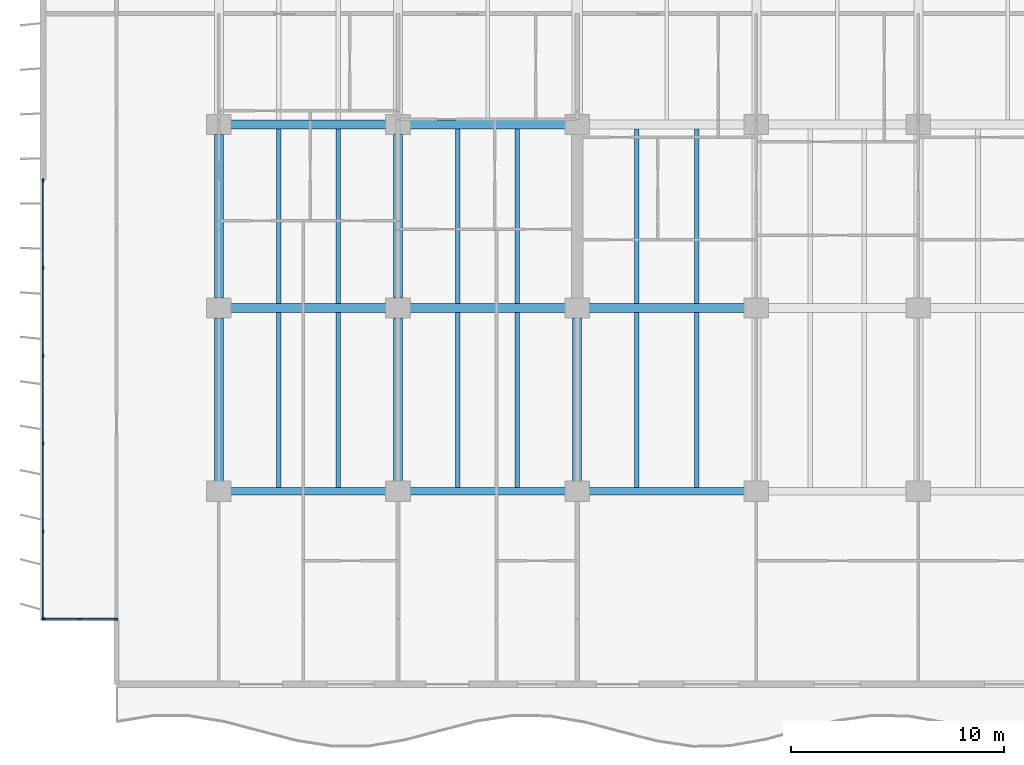
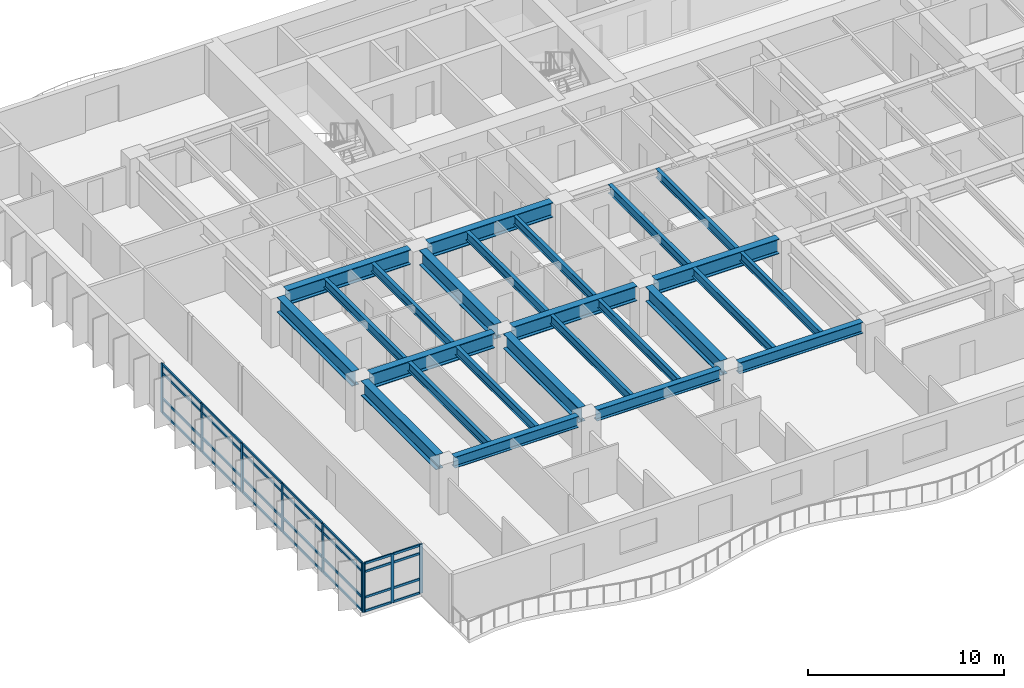
# One storey, part 2 of 17: 37 members, 25 beams, 2 elements without a shape of their own.
"""IFC4 building model written with IfcOpenShell, lengths in metres."""

from ifc_helpers import new_model, si_unit, direction, frame, origin, origin_2d, place, context, subcontext, project, spatial, rectangle, i_section, extrude, material, layer, layer_set, material_profile, profile_set, type_object, element, aggregate, save


model = new_model("IFC4")

# Units and contexts
model_context = context("Model", 3, precision=1e-05, world=origin(), true_north=direction((0.0, 1.0)))
body_context = subcontext(model_context, "Body", "Model", "MODEL_VIEW")
ifc_project = project(units=[si_unit("LENGTHUNIT", "METRE"), si_unit("AREAUNIT", "SQUARE_METRE"), si_unit("VOLUMEUNIT", "CUBIC_METRE"), si_unit("PLANEANGLEUNIT", "RADIAN"), si_unit("MASSUNIT", "GRAM", prefix="KILO")], contexts=[model_context])

# Site, building, storey
site_placement = place(None, origin())
site = spatial("IfcSite", under=ifc_project, at=site_placement, CompositionType="ELEMENT")
building_placement = place(site_placement, origin())
building = spatial("IfcBuilding", under=site, at=building_placement, Name="Caelmar Bay Residences", CompositionType="ELEMENT")
storey_placement = place(building_placement, frame((0.0, 0.0, 49.800048828125)))
storey = spatial("IfcBuildingStorey", under=building, at=storey_placement, Name="L12", CompositionType="ELEMENT", Elevation=49.800048828125)

# Beams
ifc_material_1 = material(Name="Steel ASTM A992 Grade 50", Category="steel")
ifc_material_profile_1 = material_profile(ifc_material_1, i_section(OverallWidth=0.422119140625, OverallDepth=0.925048828125, WebThickness=0.021240234375, FlangeThickness=0.03662109375, FilletRadius=0.020263671875, at=origin_2d()), Name="W36X262")
ifc_profile_set_1 = profile_set([ifc_material_profile_1], Name="Steel ASTM A992 Grade 50")
beam_type_1 = type_object("IfcBeamType", Name="BM-GRD-W36X262", PredefinedType="BEAM", material=ifc_profile_set_1)
beam_1_placement = place(storey_placement, frame((10.43994140625, 20.800048828125, 2.58740234375), z_axis=(1.0, 0.0, 0.0), x_axis=(0.0, 1.0, 0.0)))
element("IfcBeam", 1, at=beam_1_placement, inside=storey, type_object=beam_type_1, Name="L12 East-West Girder Y=20.80 (9.9-18.3)", PredefinedType="BEAM", context=body_context, shape_type="SweptSolid", body=[
    extrude(i_section(OverallWidth=0.422119140625, OverallDepth=0.925048828125, WebThickness=0.021240234375, FlangeThickness=0.03662109375, FilletRadius=0.020263671875, at=origin_2d()), origin(), (0.0, 0.0, 1.0), 7.320068359375),
])
beam_2_placement = place(storey_placement, frame((18.840087890625, 20.800048828125, 2.58740234375), z_axis=(1.0, 0.0, 0.0), x_axis=(0.0, 1.0, 0.0)))
element("IfcBeam", 2, at=beam_2_placement, inside=storey, type_object=beam_type_1, Name="L12 East-West Girder Y=20.80 (18.3-26.7)", PredefinedType="BEAM", context=body_context, shape_type="SweptSolid", body=[
    extrude(i_section(OverallWidth=0.422119140625, OverallDepth=0.925048828125, WebThickness=0.021240234375, FlangeThickness=0.03662109375, FilletRadius=0.020263671875, at=origin_2d()), origin(), (0.0, 0.0, 1.0), 7.31982421875),
])
for number, where, z_axis, x_axis, name in (
    (3, (27.239990234375, 20.800048828125, 2.58740234375), (1.0, 0.0, 0.0), (0.0, 1.0, 0.0), "L12 East-West Girder Y=20.80 (26.7-35.1)"),
    (4, (10.43994140625, 29.39990234375, 2.58740234375), (1.0, 0.0, 0.0), (0.0, 1.0, 0.0), "L12 East-West Girder Y=29.40 (9.9-18.3)"),
):
    element("IfcBeam", number, at=place(storey_placement, frame(where, z_axis=z_axis, x_axis=x_axis)), inside=storey, type_object=beam_type_1, Name=name, PredefinedType="BEAM", context=body_context, shape_type="SweptSolid", body=[
        extrude(i_section(OverallWidth=0.422119140625, OverallDepth=0.925048828125, WebThickness=0.021240234375, FlangeThickness=0.03662109375, FilletRadius=0.020263671875, at=origin_2d()), origin(), (0.0, 0.0, 1.0), 7.320068359375),
    ])
beam_3_placement = place(storey_placement, frame((18.840087890625, 29.39990234375, 2.58740234375), z_axis=(1.0, 0.0, 0.0), x_axis=(0.0, 1.0, 0.0)))
element("IfcBeam", 5, at=beam_3_placement, inside=storey, type_object=beam_type_1, Name="L12 East-West Girder Y=29.40 (18.3-26.7)", PredefinedType="BEAM", context=body_context, shape_type="SweptSolid", body=[
    extrude(i_section(OverallWidth=0.422119140625, OverallDepth=0.925048828125, WebThickness=0.021240234375, FlangeThickness=0.03662109375, FilletRadius=0.020263671875, at=origin_2d()), origin(), (0.0, 0.0, 1.0), 7.31982421875),
])
beam_4_placement = place(storey_placement, frame((9.89990234375, 12.6650390625, 2.58740234375), z_axis=(0.0, 1.0, 0.0), x_axis=(-1.0, 0.0, 0.0)))
element("IfcBeam", 6, at=beam_4_placement, inside=storey, type_object=beam_type_1, Name="L12 North-South Girder X=9.90 (12.2-20.8)", PredefinedType="BEAM", context=body_context, shape_type="SweptSolid", body=[
    extrude(i_section(OverallWidth=0.422119140625, OverallDepth=0.925048828125, WebThickness=0.021240234375, FlangeThickness=0.03662109375, FilletRadius=0.020263671875, at=origin_2d()), origin(), (0.0, 0.0, 1.0), 7.669921875),
])
beam_5_placement = place(storey_placement, frame((9.89990234375, 21.264892578125, 2.58740234375), z_axis=(0.0, 1.0, 0.0), x_axis=(-1.0, 0.0, 0.0)))
element("IfcBeam", 7, at=beam_5_placement, inside=storey, type_object=beam_type_1, Name="L12 North-South Girder X=9.90 (20.8-29.4)", PredefinedType="BEAM", context=body_context, shape_type="SweptSolid", body=[
    extrude(i_section(OverallWidth=0.422119140625, OverallDepth=0.925048828125, WebThickness=0.021240234375, FlangeThickness=0.03662109375, FilletRadius=0.020263671875, at=origin_2d()), origin(), (0.0, 0.0, 1.0), 7.670166015625),
])
beam_6_placement = place(storey_placement, frame((18.300048828125, 12.6650390625, 2.58740234375), z_axis=(0.0, 1.0, 0.0), x_axis=(-1.0, 0.0, 0.0)))
element("IfcBeam", 8, at=beam_6_placement, inside=storey, type_object=beam_type_1, Name="L12 North-South Girder X=18.30 (12.2-20.8)", PredefinedType="BEAM", context=body_context, shape_type="SweptSolid", body=[
    extrude(i_section(OverallWidth=0.422119140625, OverallDepth=0.925048828125, WebThickness=0.021240234375, FlangeThickness=0.03662109375, FilletRadius=0.020263671875, at=origin_2d()), origin(), (0.0, 0.0, 1.0), 7.669921875),
])
beam_7_placement = place(storey_placement, frame((18.300048828125, 21.264892578125, 2.58740234375), z_axis=(0.0, 1.0, 0.0), x_axis=(-1.0, 0.0, 0.0)))
element("IfcBeam", 9, at=beam_7_placement, inside=storey, type_object=beam_type_1, Name="L12 North-South Girder X=18.30 (20.8-29.4)", PredefinedType="BEAM", context=body_context, shape_type="SweptSolid", body=[
    extrude(i_section(OverallWidth=0.422119140625, OverallDepth=0.925048828125, WebThickness=0.021240234375, FlangeThickness=0.03662109375, FilletRadius=0.020263671875, at=origin_2d()), origin(), (0.0, 0.0, 1.0), 7.670166015625),
])
beam_8_placement = place(storey_placement, frame((26.699951171875, 12.6650390625, 2.58740234375), z_axis=(0.0, 1.0, 0.0), x_axis=(-1.0, 0.0, 0.0)))
element("IfcBeam", 10, at=beam_8_placement, inside=storey, type_object=beam_type_1, Name="L12 North-South Girder X=26.70 (12.2-20.8)", PredefinedType="BEAM", context=body_context, shape_type="SweptSolid", body=[
    extrude(i_section(OverallWidth=0.422119140625, OverallDepth=0.925048828125, WebThickness=0.021240234375, FlangeThickness=0.03662109375, FilletRadius=0.020263671875, at=origin_2d()), origin(), (0.0, 0.0, 1.0), 7.669921875),
])
ifc_material_profile_2 = material_profile(ifc_material_1, i_section(OverallWidth=0.2099609375, OverallDepth=0.535888671875, WebThickness=0.010986328125, FlangeThickness=0.017333984375, FilletRadius=0.0126953125, at=origin_2d()), Name="W21X68")
ifc_profile_set_2 = profile_set([ifc_material_profile_2], Name="Steel ASTM A992 Grade 50")
beam_type_2 = type_object("IfcBeamType", Name="BM-JST-W21X68", PredefinedType="JOIST", material=ifc_profile_set_2)
for number, where, z_axis, x_axis, name in (
    (11, (15.5, 12.3779296875, 2.781982421875), (0.0, 1.0, 0.0), (-1.0, 0.0, 0.0), "L12 Composite Floor Joist 2"),
    (12, (23.89990234375, 12.3779296875, 2.781982421875), (0.0, 1.0, 0.0), (-1.0, 0.0, 0.0), "L12 Composite Floor Joist 4"),
    (13, (32.300048828125, 12.3779296875, 2.781982421875), (0.0, 1.0, 0.0), (-1.0, 0.0, 0.0), "L12 Composite Floor Joist 6"),
):
    element("IfcBeam", number, at=place(storey_placement, frame(where, z_axis=z_axis, x_axis=x_axis)), inside=storey, type_object=beam_type_2, Name=name, PredefinedType="JOIST", context=body_context, shape_type="SweptSolid", body=[
        extrude(i_section(OverallWidth=0.2099609375, OverallDepth=0.535888671875, WebThickness=0.010986328125, FlangeThickness=0.017333984375, FilletRadius=0.0126953125, at=origin_2d()), origin(), (0.0, 0.0, 1.0), 8.211181640625),
    ])
for number, where, z_axis, x_axis, name in (
    (14, (15.5, 21.010986328125, 2.781982421875), (0.0, 1.0, 0.0), (-1.0, 0.0, 0.0), "L12 Composite Floor Joist 16"),
    (15, (23.89990234375, 21.010986328125, 2.781982421875), (0.0, 1.0, 0.0), (-1.0, 0.0, 0.0), "L12 Composite Floor Joist 18"),
    (16, (32.300048828125, 21.010986328125, 2.781982421875), (0.0, 1.0, 0.0), (-1.0, 0.0, 0.0), "L12 Composite Floor Joist 20"),
):
    element("IfcBeam", number, at=place(storey_placement, frame(where, z_axis=z_axis, x_axis=x_axis)), inside=storey, type_object=beam_type_2, Name=name, PredefinedType="JOIST", context=body_context, shape_type="SweptSolid", body=[
        extrude(i_section(OverallWidth=0.2099609375, OverallDepth=0.535888671875, WebThickness=0.010986328125, FlangeThickness=0.017333984375, FilletRadius=0.0126953125, at=origin_2d()), origin(), (0.0, 0.0, 1.0), 8.177978515625),
    ])
ifc_material_profile_3 = material_profile(ifc_material_1, i_section(OverallWidth=0.214111328125, OverallDepth=0.549072265625, WebThickness=0.0146484375, FlangeThickness=0.023681640625, FilletRadius=0.0126953125, at=origin_2d()), Name="W21X93")
ifc_profile_set_3 = profile_set([ifc_material_profile_3], Name="Steel ASTM A992 Grade 50")
beam_type_3 = type_object("IfcBeamType", Name="BM-JST-W21X93", PredefinedType="JOIST", material=ifc_profile_set_3)
for number, where, z_axis, x_axis, name in (
    (17, (12.699951171875, 12.3779296875, 2.775390625), (0.0, 1.0, 0.0), (-1.0, 0.0, 0.0), "L12 Composite Floor Joist 1"),
    (18, (21.10009765625, 12.3779296875, 2.775390625), (0.0, 1.0, 0.0), (-1.0, 0.0, 0.0), "L12 Composite Floor Joist 3"),
    (19, (29.5, 12.3779296875, 2.775390625), (0.0, 1.0, 0.0), (-1.0, 0.0, 0.0), "L12 Composite Floor Joist 5"),
):
    element("IfcBeam", number, at=place(storey_placement, frame(where, z_axis=z_axis, x_axis=x_axis)), inside=storey, type_object=beam_type_3, Name=name, PredefinedType="JOIST", context=body_context, shape_type="SweptSolid", body=[
        extrude(i_section(OverallWidth=0.214111328125, OverallDepth=0.549072265625, WebThickness=0.0146484375, FlangeThickness=0.023681640625, FilletRadius=0.0126953125, at=origin_2d()), origin(), (0.0, 0.0, 1.0), 8.211181640625),
    ])
for number, where, z_axis, x_axis, name in (
    (20, (12.699951171875, 21.010986328125, 2.775390625), (0.0, 1.0, 0.0), (-1.0, 0.0, 0.0), "L12 Composite Floor Joist 15"),
    (21, (21.10009765625, 21.010986328125, 2.775390625), (0.0, 1.0, 0.0), (-1.0, 0.0, 0.0), "L12 Composite Floor Joist 17"),
    (22, (29.5, 21.010986328125, 2.775390625), (0.0, 1.0, 0.0), (-1.0, 0.0, 0.0), "L12 Composite Floor Joist 19"),
):
    element("IfcBeam", number, at=place(storey_placement, frame(where, z_axis=z_axis, x_axis=x_axis)), inside=storey, type_object=beam_type_3, Name=name, PredefinedType="JOIST", context=body_context, shape_type="SweptSolid", body=[
        extrude(i_section(OverallWidth=0.214111328125, OverallDepth=0.549072265625, WebThickness=0.0146484375, FlangeThickness=0.023681640625, FilletRadius=0.0126953125, at=origin_2d()), origin(), (0.0, 0.0, 1.0), 8.177978515625),
    ])
ifc_material_profile_4 = material_profile(ifc_material_1, i_section(OverallWidth=0.35595703125, OverallDepth=0.696044921875, WebThickness=0.015380859375, FlangeThickness=0.02490234375, FilletRadius=0.01513671875, at=origin_2d()), Name="W27X146")
ifc_profile_set_4 = profile_set([ifc_material_profile_4], Name="Steel ASTM A992 Grade 50")
beam_type_4 = type_object("IfcBeamType", Name="BM-SPN-W27X146", PredefinedType="SPANDREL", material=ifc_profile_set_4)
beam_9_placement = place(storey_placement, frame((10.43994140625, 12.199951171875, 2.701904296875), z_axis=(1.0, 0.0, 0.0), x_axis=(0.0, 1.0, 0.0)))
element("IfcBeam", 23, at=beam_9_placement, inside=storey, type_object=beam_type_4, Name="L12 East-West Girder Y=12.20 (9.9-18.3)", PredefinedType="SPANDREL", context=body_context, shape_type="SweptSolid", body=[
    extrude(i_section(OverallWidth=0.35595703125, OverallDepth=0.696044921875, WebThickness=0.015380859375, FlangeThickness=0.02490234375, FilletRadius=0.01513671875, at=origin_2d()), origin(), (0.0, 0.0, 1.0), 7.320068359375),
])
beam_10_placement = place(storey_placement, frame((18.840087890625, 12.199951171875, 2.701904296875), z_axis=(1.0, 0.0, 0.0), x_axis=(0.0, 1.0, 0.0)))
element("IfcBeam", 24, at=beam_10_placement, inside=storey, type_object=beam_type_4, Name="L12 East-West Girder Y=12.20 (18.3-26.7)", PredefinedType="SPANDREL", context=body_context, shape_type="SweptSolid", body=[
    extrude(i_section(OverallWidth=0.35595703125, OverallDepth=0.696044921875, WebThickness=0.015380859375, FlangeThickness=0.02490234375, FilletRadius=0.01513671875, at=origin_2d()), origin(), (0.0, 0.0, 1.0), 7.31982421875),
])
beam_11_placement = place(storey_placement, frame((27.239990234375, 12.199951171875, 2.701904296875), z_axis=(1.0, 0.0, 0.0), x_axis=(0.0, 1.0, 0.0)))
element("IfcBeam", 25, at=beam_11_placement, inside=storey, type_object=beam_type_4, Name="L12 East-West Girder Y=12.20 (26.7-35.1)", PredefinedType="SPANDREL", context=body_context, shape_type="SweptSolid", body=[
    extrude(i_section(OverallWidth=0.35595703125, OverallDepth=0.696044921875, WebThickness=0.015380859375, FlangeThickness=0.02490234375, FilletRadius=0.01513671875, at=origin_2d()), origin(), (0.0, 0.0, 1.0), 7.320068359375),
])

# Curtain wall, members
ifc_material_2 = material(Name="Anodised bronze aluminium 6063-T6 and laminated glass", Category="aluminium")
ifc_layer_1 = layer(ifc_material_2, 0.179931640625)
ifc_layer_set_1 = layer_set([ifc_layer_1], Name="Anodised bronze aluminium 6063-T6 and laminated glass")
curtain_wall_type_1 = type_object("IfcCurtainWallType", Name="CW6-NTC", PredefinedType="NOTDEFINED", material=ifc_layer_set_1)
curtain_wall_1_placement = place(storey_placement, origin())
curtain_wall_1 = element("IfcCurtainWall", 26, at=curtain_wall_1_placement, inside=storey, type_object=curtain_wall_type_1, Name="CW6 curtain wall L12", PredefinedType="NOTDEFINED")
ifc_material_3 = material(Name="Anodised bronze aluminium 6063-T6", Category="aluminium")
ifc_material_profile_5 = material_profile(ifc_material_3, rectangle(XDim=0.080078125, YDim=0.179931640625, at=origin_2d()), Name="CWM-80X180")
ifc_profile_set_5 = profile_set([ifc_material_profile_5], Name="Anodised bronze aluminium 6063-T6")
member_type_1 = type_object("IfcMemberType", Name="CWM-180", PredefinedType="MULLION", material=ifc_profile_set_5)
member_1_placement = place(storey_placement, frame((1.68994140625, 6.199951171875, 0.0), z_axis=(0.0, 0.0, 1.0), x_axis=(0.0, 1.0, 0.0)))
member_1 = element("IfcMember", 27, at=member_1_placement, type_object=member_type_1, Name="CW6 mullion 1", PredefinedType="MULLION", context=body_context, shape_type="SweptSolid", body=[
    extrude(rectangle(XDim=0.080078125, YDim=0.179931640625, at=origin_2d()), origin(), (0.0, 0.0, 1.0), 3.050048828125),
])
member_2_placement = place(storey_placement, frame((3.375, 6.199951171875, 0.0), z_axis=(0.0, 0.0, 1.0), x_axis=(0.0, 1.0, 0.0)))
member_2 = element("IfcMember", 28, at=member_2_placement, type_object=member_type_1, Name="CW6 mullion 2", PredefinedType="MULLION", context=body_context, shape_type="SweptSolid", body=[
    extrude(rectangle(XDim=0.080078125, YDim=0.179931640625, at=origin_2d()), origin(), (0.0, 0.0, 1.0), 3.050048828125),
])
member_3_placement = place(storey_placement, frame((5.06005859375, 6.199951171875, 0.0), z_axis=(0.0, 0.0, 1.0), x_axis=(0.0, 1.0, 0.0)))
member_3 = element("IfcMember", 29, at=member_3_placement, type_object=member_type_1, Name="CW6 mullion 3", PredefinedType="MULLION", context=body_context, shape_type="SweptSolid", body=[
    extrude(rectangle(XDim=0.080078125, YDim=0.179931640625, at=origin_2d()), origin(), (0.0, 0.0, 1.0), 3.050048828125),
])

ifc_layer_2 = layer(ifc_material_2, 0.179931640625)
ifc_layer_set_2 = layer_set([ifc_layer_2], Name="Anodised bronze aluminium 6063-T6 and laminated glass")
curtain_wall_type_2 = type_object("IfcCurtainWallType", Name="CW2-Z1", PredefinedType="NOTDEFINED", material=ifc_layer_set_2)
curtain_wall_2_placement = place(storey_placement, origin())
curtain_wall_2 = element("IfcCurtainWall", 30, at=curtain_wall_2_placement, inside=storey, type_object=curtain_wall_type_2, Name="CW2 curtain wall L12", PredefinedType="NOTDEFINED")
member_4_placement = place(storey_placement, frame((1.64990234375, 6.239990234375, 0.0), z_axis=(0.0, 0.0, 1.0), x_axis=(-1.0, 0.0, 0.0)))
member_4 = element("IfcMember", 31, at=member_4_placement, type_object=member_type_1, Name="CW2 mullion 1", PredefinedType="MULLION", context=body_context, shape_type="SweptSolid", body=[
    extrude(rectangle(XDim=0.080078125, YDim=0.179931640625, at=origin_2d()), origin(), (0.0, 0.0, 1.0), 3.050048828125),
])
member_5_placement = place(storey_placement, frame((1.64990234375, 10.320068359375, 0.0), z_axis=(0.0, 0.0, 1.0), x_axis=(-1.0, 0.0, 0.0)))
member_5 = element("IfcMember", 32, at=member_5_placement, type_object=member_type_1, Name="CW2 mullion 2", PredefinedType="MULLION", context=body_context, shape_type="SweptSolid", body=[
    extrude(rectangle(XDim=0.080078125, YDim=0.179931640625, at=origin_2d()), origin(), (0.0, 0.0, 1.0), 3.050048828125),
])
member_6_placement = place(storey_placement, frame((1.64990234375, 14.43994140625, 0.0), z_axis=(0.0, 0.0, 1.0), x_axis=(-1.0, 0.0, 0.0)))
member_6 = element("IfcMember", 33, at=member_6_placement, type_object=member_type_1, Name="CW2 mullion 3", PredefinedType="MULLION", context=body_context, shape_type="SweptSolid", body=[
    extrude(rectangle(XDim=0.080078125, YDim=0.179931640625, at=origin_2d()), origin(), (0.0, 0.0, 1.0), 3.050048828125),
])
member_7_placement = place(storey_placement, frame((1.64990234375, 18.56005859375, 0.0), z_axis=(0.0, 0.0, 1.0), x_axis=(-1.0, 0.0, 0.0)))
member_7 = element("IfcMember", 34, at=member_7_placement, type_object=member_type_1, Name="CW2 mullion 4", PredefinedType="MULLION", context=body_context, shape_type="SweptSolid", body=[
    extrude(rectangle(XDim=0.080078125, YDim=0.179931640625, at=origin_2d()), origin(), (0.0, 0.0, 1.0), 3.050048828125),
])
member_8_placement = place(storey_placement, frame((1.64990234375, 22.679931640625, 0.0), z_axis=(0.0, 0.0, 1.0), x_axis=(-1.0, 0.0, 0.0)))
member_8 = element("IfcMember", 35, at=member_8_placement, type_object=member_type_1, Name="CW2 mullion 5", PredefinedType="MULLION", context=body_context, shape_type="SweptSolid", body=[
    extrude(rectangle(XDim=0.080078125, YDim=0.179931640625, at=origin_2d()), origin(), (0.0, 0.0, 1.0), 3.050048828125),
])
member_9_placement = place(storey_placement, frame((1.64990234375, 26.760009765625, 0.0), z_axis=(0.0, 0.0, 1.0), x_axis=(-1.0, 0.0, 0.0)))
member_9 = element("IfcMember", 36, at=member_9_placement, type_object=member_type_1, Name="CW2 mullion 6", PredefinedType="MULLION", context=body_context, shape_type="SweptSolid", body=[
    extrude(rectangle(XDim=0.080078125, YDim=0.179931640625, at=origin_2d()), origin(), (0.0, 0.0, 1.0), 3.050048828125),
])

# Member
ifc_material_profile_6 = material_profile(ifc_material_3, rectangle(XDim=0.080078125, YDim=0.139892578125, at=origin_2d()), Name="CWT-80X140")
ifc_profile_set_6 = profile_set([ifc_material_profile_6], Name="Anodised bronze aluminium 6063-T6")
member_type_2 = type_object("IfcMemberType", Name="CWT-140", PredefinedType="NOTDEFINED", material=ifc_profile_set_6)
member_10_placement = place(storey_placement, frame((1.72998046875, 6.199951171875, 0.0400390625), z_axis=(1.0, 0.0, 0.0), x_axis=(0.0, 1.0, 0.0)))
member_10 = element("IfcMember", 37, at=member_10_placement, type_object=member_type_2, Name="CW6 transom 1.1", ObjectType="TRANSOM", PredefinedType="USERDEFINED", context=body_context, shape_type="SweptSolid", body=[
    extrude(rectangle(XDim=0.080078125, YDim=0.139892578125, at=origin_2d()), origin(), (0.0, 0.0, 1.0), 1.60498046875),
])

member_11_placement = place(storey_placement, frame((1.72998046875, 6.199951171875, 0.89990234375), z_axis=(1.0, 0.0, 0.0), x_axis=(0.0, 1.0, 0.0)))
member_11 = element("IfcMember", 38, at=member_11_placement, type_object=member_type_2, Name="CW6 transom 1.2", ObjectType="TRANSOM", PredefinedType="USERDEFINED", context=body_context, shape_type="SweptSolid", body=[
    extrude(rectangle(XDim=0.080078125, YDim=0.139892578125, at=origin_2d()), origin(), (0.0, 0.0, 1.0), 1.60498046875),
])

member_12_placement = place(storey_placement, frame((1.72998046875, 6.199951171875, 2.5), z_axis=(1.0, 0.0, 0.0), x_axis=(0.0, 1.0, 0.0)))
member_12 = element("IfcMember", 39, at=member_12_placement, type_object=member_type_2, Name="CW6 transom 1.3", ObjectType="TRANSOM", PredefinedType="USERDEFINED", context=body_context, shape_type="SweptSolid", body=[
    extrude(rectangle(XDim=0.080078125, YDim=0.139892578125, at=origin_2d()), origin(), (0.0, 0.0, 1.0), 1.60498046875),
])

member_13_placement = place(storey_placement, frame((1.72998046875, 6.199951171875, 3.010009765625), z_axis=(1.0, 0.0, 0.0), x_axis=(0.0, 1.0, 0.0)))
member_13 = element("IfcMember", 40, at=member_13_placement, type_object=member_type_2, Name="CW6 transom 1.4", ObjectType="TRANSOM", PredefinedType="USERDEFINED", context=body_context, shape_type="SweptSolid", body=[
    extrude(rectangle(XDim=0.080078125, YDim=0.139892578125, at=origin_2d()), origin(), (0.0, 0.0, 1.0), 1.60498046875),
])

member_14_placement = place(storey_placement, frame((3.4150390625, 6.199951171875, 0.0400390625), z_axis=(1.0, 0.0, 0.0), x_axis=(0.0, 1.0, 0.0)))
member_14 = element("IfcMember", 41, at=member_14_placement, type_object=member_type_2, Name="CW6 transom 2.1", ObjectType="TRANSOM", PredefinedType="USERDEFINED", context=body_context, shape_type="SweptSolid", body=[
    extrude(rectangle(XDim=0.080078125, YDim=0.139892578125, at=origin_2d()), origin(), (0.0, 0.0, 1.0), 1.60498046875),
])

member_15_placement = place(storey_placement, frame((3.4150390625, 6.199951171875, 0.89990234375), z_axis=(1.0, 0.0, 0.0), x_axis=(0.0, 1.0, 0.0)))
member_15 = element("IfcMember", 42, at=member_15_placement, type_object=member_type_2, Name="CW6 transom 2.2", ObjectType="TRANSOM", PredefinedType="USERDEFINED", context=body_context, shape_type="SweptSolid", body=[
    extrude(rectangle(XDim=0.080078125, YDim=0.139892578125, at=origin_2d()), origin(), (0.0, 0.0, 1.0), 1.60498046875),
])

member_16_placement = place(storey_placement, frame((3.4150390625, 6.199951171875, 2.5), z_axis=(1.0, 0.0, 0.0), x_axis=(0.0, 1.0, 0.0)))
member_16 = element("IfcMember", 43, at=member_16_placement, type_object=member_type_2, Name="CW6 transom 2.3", ObjectType="TRANSOM", PredefinedType="USERDEFINED", context=body_context, shape_type="SweptSolid", body=[
    extrude(rectangle(XDim=0.080078125, YDim=0.139892578125, at=origin_2d()), origin(), (0.0, 0.0, 1.0), 1.60498046875),
])

member_17_placement = place(storey_placement, frame((3.4150390625, 6.199951171875, 3.010009765625), z_axis=(1.0, 0.0, 0.0), x_axis=(0.0, 1.0, 0.0)))
member_17 = element("IfcMember", 44, at=member_17_placement, type_object=member_type_2, Name="CW6 transom 2.4", ObjectType="TRANSOM", PredefinedType="USERDEFINED", context=body_context, shape_type="SweptSolid", body=[
    extrude(rectangle(XDim=0.080078125, YDim=0.139892578125, at=origin_2d()), origin(), (0.0, 0.0, 1.0), 1.60498046875),
])

aggregate(curtain_wall_1, [member_1, member_2, member_3, member_10, member_11, member_12, member_13, member_14, member_15, member_16, member_17])

member_18_placement = place(storey_placement, frame((1.64990234375, 6.280029296875, 0.0400390625), z_axis=(0.0, 1.0, 0.0), x_axis=(-1.0, 0.0, 0.0)))
member_18 = element("IfcMember", 45, at=member_18_placement, type_object=member_type_2, Name="CW2 transom 1.1", ObjectType="TRANSOM", PredefinedType="USERDEFINED", context=body_context, shape_type="SweptSolid", body=[
    extrude(rectangle(XDim=0.080078125, YDim=0.139892578125, at=origin_2d()), origin(), (0.0, 0.0, 1.0), 4.0),
])

member_19_placement = place(storey_placement, frame((1.64990234375, 6.280029296875, 0.89990234375), z_axis=(0.0, 1.0, 0.0), x_axis=(-1.0, 0.0, 0.0)))
member_19 = element("IfcMember", 46, at=member_19_placement, type_object=member_type_2, Name="CW2 transom 1.2", ObjectType="TRANSOM", PredefinedType="USERDEFINED", context=body_context, shape_type="SweptSolid", body=[
    extrude(rectangle(XDim=0.080078125, YDim=0.139892578125, at=origin_2d()), origin(), (0.0, 0.0, 1.0), 4.0),
])

member_20_placement = place(storey_placement, frame((1.64990234375, 6.280029296875, 2.5), z_axis=(0.0, 1.0, 0.0), x_axis=(-1.0, 0.0, 0.0)))
member_20 = element("IfcMember", 47, at=member_20_placement, type_object=member_type_2, Name="CW2 transom 1.3", ObjectType="TRANSOM", PredefinedType="USERDEFINED", context=body_context, shape_type="SweptSolid", body=[
    extrude(rectangle(XDim=0.080078125, YDim=0.139892578125, at=origin_2d()), origin(), (0.0, 0.0, 1.0), 4.0),
])

member_21_placement = place(storey_placement, frame((1.64990234375, 6.280029296875, 3.010009765625), z_axis=(0.0, 1.0, 0.0), x_axis=(-1.0, 0.0, 0.0)))
member_21 = element("IfcMember", 48, at=member_21_placement, type_object=member_type_2, Name="CW2 transom 1.4", ObjectType="TRANSOM", PredefinedType="USERDEFINED", context=body_context, shape_type="SweptSolid", body=[
    extrude(rectangle(XDim=0.080078125, YDim=0.139892578125, at=origin_2d()), origin(), (0.0, 0.0, 1.0), 4.0),
])

member_22_placement = place(storey_placement, frame((1.64990234375, 10.360107421875, 0.0400390625), z_axis=(0.0, 1.0, 0.0), x_axis=(-1.0, 0.0, 0.0)))
member_22 = element("IfcMember", 49, at=member_22_placement, type_object=member_type_2, Name="CW2 transom 2.1", ObjectType="TRANSOM", PredefinedType="USERDEFINED", context=body_context, shape_type="SweptSolid", body=[
    extrude(rectangle(XDim=0.080078125, YDim=0.139892578125, at=origin_2d()), origin(), (0.0, 0.0, 1.0), 4.039794921875),
])

member_23_placement = place(storey_placement, frame((1.64990234375, 10.360107421875, 0.89990234375), z_axis=(0.0, 1.0, 0.0), x_axis=(-1.0, 0.0, 0.0)))
member_23 = element("IfcMember", 50, at=member_23_placement, type_object=member_type_2, Name="CW2 transom 2.2", ObjectType="TRANSOM", PredefinedType="USERDEFINED", context=body_context, shape_type="SweptSolid", body=[
    extrude(rectangle(XDim=0.080078125, YDim=0.139892578125, at=origin_2d()), origin(), (0.0, 0.0, 1.0), 4.039794921875),
])

member_24_placement = place(storey_placement, frame((1.64990234375, 10.360107421875, 2.5), z_axis=(0.0, 1.0, 0.0), x_axis=(-1.0, 0.0, 0.0)))
member_24 = element("IfcMember", 51, at=member_24_placement, type_object=member_type_2, Name="CW2 transom 2.3", ObjectType="TRANSOM", PredefinedType="USERDEFINED", context=body_context, shape_type="SweptSolid", body=[
    extrude(rectangle(XDim=0.080078125, YDim=0.139892578125, at=origin_2d()), origin(), (0.0, 0.0, 1.0), 4.039794921875),
])

member_25_placement = place(storey_placement, frame((1.64990234375, 10.360107421875, 3.010009765625), z_axis=(0.0, 1.0, 0.0), x_axis=(-1.0, 0.0, 0.0)))
member_25 = element("IfcMember", 52, at=member_25_placement, type_object=member_type_2, Name="CW2 transom 2.4", ObjectType="TRANSOM", PredefinedType="USERDEFINED", context=body_context, shape_type="SweptSolid", body=[
    extrude(rectangle(XDim=0.080078125, YDim=0.139892578125, at=origin_2d()), origin(), (0.0, 0.0, 1.0), 4.039794921875),
])

member_26_placement = place(storey_placement, frame((1.64990234375, 14.47998046875, 0.0400390625), z_axis=(0.0, 1.0, 0.0), x_axis=(-1.0, 0.0, 0.0)))
member_26 = element("IfcMember", 53, at=member_26_placement, type_object=member_type_2, Name="CW2 transom 3.1", ObjectType="TRANSOM", PredefinedType="USERDEFINED", context=body_context, shape_type="SweptSolid", body=[
    extrude(rectangle(XDim=0.080078125, YDim=0.139892578125, at=origin_2d()), origin(), (0.0, 0.0, 1.0), 4.0400390625),
])

member_27_placement = place(storey_placement, frame((1.64990234375, 14.47998046875, 0.89990234375), z_axis=(0.0, 1.0, 0.0), x_axis=(-1.0, 0.0, 0.0)))
member_27 = element("IfcMember", 54, at=member_27_placement, type_object=member_type_2, Name="CW2 transom 3.2", ObjectType="TRANSOM", PredefinedType="USERDEFINED", context=body_context, shape_type="SweptSolid", body=[
    extrude(rectangle(XDim=0.080078125, YDim=0.139892578125, at=origin_2d()), origin(), (0.0, 0.0, 1.0), 4.0400390625),
])

member_28_placement = place(storey_placement, frame((1.64990234375, 14.47998046875, 2.5), z_axis=(0.0, 1.0, 0.0), x_axis=(-1.0, 0.0, 0.0)))
member_28 = element("IfcMember", 55, at=member_28_placement, type_object=member_type_2, Name="CW2 transom 3.3", ObjectType="TRANSOM", PredefinedType="USERDEFINED", context=body_context, shape_type="SweptSolid", body=[
    extrude(rectangle(XDim=0.080078125, YDim=0.139892578125, at=origin_2d()), origin(), (0.0, 0.0, 1.0), 4.0400390625),
])

member_29_placement = place(storey_placement, frame((1.64990234375, 14.47998046875, 3.010009765625), z_axis=(0.0, 1.0, 0.0), x_axis=(-1.0, 0.0, 0.0)))
member_29 = element("IfcMember", 56, at=member_29_placement, type_object=member_type_2, Name="CW2 transom 3.4", ObjectType="TRANSOM", PredefinedType="USERDEFINED", context=body_context, shape_type="SweptSolid", body=[
    extrude(rectangle(XDim=0.080078125, YDim=0.139892578125, at=origin_2d()), origin(), (0.0, 0.0, 1.0), 4.0400390625),
])

member_30_placement = place(storey_placement, frame((1.64990234375, 18.60009765625, 0.0400390625), z_axis=(0.0, 1.0, 0.0), x_axis=(-1.0, 0.0, 0.0)))
member_30 = element("IfcMember", 57, at=member_30_placement, type_object=member_type_2, Name="CW2 transom 4.1", ObjectType="TRANSOM", PredefinedType="USERDEFINED", context=body_context, shape_type="SweptSolid", body=[
    extrude(rectangle(XDim=0.080078125, YDim=0.139892578125, at=origin_2d()), origin(), (0.0, 0.0, 1.0), 4.039794921875),
])

member_31_placement = place(storey_placement, frame((1.64990234375, 18.60009765625, 0.89990234375), z_axis=(0.0, 1.0, 0.0), x_axis=(-1.0, 0.0, 0.0)))
member_31 = element("IfcMember", 58, at=member_31_placement, type_object=member_type_2, Name="CW2 transom 4.2", ObjectType="TRANSOM", PredefinedType="USERDEFINED", context=body_context, shape_type="SweptSolid", body=[
    extrude(rectangle(XDim=0.080078125, YDim=0.139892578125, at=origin_2d()), origin(), (0.0, 0.0, 1.0), 4.039794921875),
])

member_32_placement = place(storey_placement, frame((1.64990234375, 18.60009765625, 2.5), z_axis=(0.0, 1.0, 0.0), x_axis=(-1.0, 0.0, 0.0)))
member_32 = element("IfcMember", 59, at=member_32_placement, type_object=member_type_2, Name="CW2 transom 4.3", ObjectType="TRANSOM", PredefinedType="USERDEFINED", context=body_context, shape_type="SweptSolid", body=[
    extrude(rectangle(XDim=0.080078125, YDim=0.139892578125, at=origin_2d()), origin(), (0.0, 0.0, 1.0), 4.039794921875),
])

member_33_placement = place(storey_placement, frame((1.64990234375, 18.60009765625, 3.010009765625), z_axis=(0.0, 1.0, 0.0), x_axis=(-1.0, 0.0, 0.0)))
member_33 = element("IfcMember", 60, at=member_33_placement, type_object=member_type_2, Name="CW2 transom 4.4", ObjectType="TRANSOM", PredefinedType="USERDEFINED", context=body_context, shape_type="SweptSolid", body=[
    extrude(rectangle(XDim=0.080078125, YDim=0.139892578125, at=origin_2d()), origin(), (0.0, 0.0, 1.0), 4.039794921875),
])

member_34_placement = place(storey_placement, frame((1.64990234375, 22.719970703125, 0.0400390625), z_axis=(0.0, 1.0, 0.0), x_axis=(-1.0, 0.0, 0.0)))
member_34 = element("IfcMember", 61, at=member_34_placement, type_object=member_type_2, Name="CW2 transom 5.1", ObjectType="TRANSOM", PredefinedType="USERDEFINED", context=body_context, shape_type="SweptSolid", body=[
    extrude(rectangle(XDim=0.080078125, YDim=0.139892578125, at=origin_2d()), origin(), (0.0, 0.0, 1.0), 4.0),
])

member_35_placement = place(storey_placement, frame((1.64990234375, 22.719970703125, 0.89990234375), z_axis=(0.0, 1.0, 0.0), x_axis=(-1.0, 0.0, 0.0)))
member_35 = element("IfcMember", 62, at=member_35_placement, type_object=member_type_2, Name="CW2 transom 5.2", ObjectType="TRANSOM", PredefinedType="USERDEFINED", context=body_context, shape_type="SweptSolid", body=[
    extrude(rectangle(XDim=0.080078125, YDim=0.139892578125, at=origin_2d()), origin(), (0.0, 0.0, 1.0), 4.0),
])

member_36_placement = place(storey_placement, frame((1.64990234375, 22.719970703125, 2.5), z_axis=(0.0, 1.0, 0.0), x_axis=(-1.0, 0.0, 0.0)))
member_36 = element("IfcMember", 63, at=member_36_placement, type_object=member_type_2, Name="CW2 transom 5.3", ObjectType="TRANSOM", PredefinedType="USERDEFINED", context=body_context, shape_type="SweptSolid", body=[
    extrude(rectangle(XDim=0.080078125, YDim=0.139892578125, at=origin_2d()), origin(), (0.0, 0.0, 1.0), 4.0),
])

member_37_placement = place(storey_placement, frame((1.64990234375, 22.719970703125, 3.010009765625), z_axis=(0.0, 1.0, 0.0), x_axis=(-1.0, 0.0, 0.0)))
member_37 = element("IfcMember", 64, at=member_37_placement, type_object=member_type_2, Name="CW2 transom 5.4", ObjectType="TRANSOM", PredefinedType="USERDEFINED", context=body_context, shape_type="SweptSolid", body=[
    extrude(rectangle(XDim=0.080078125, YDim=0.139892578125, at=origin_2d()), origin(), (0.0, 0.0, 1.0), 4.0),
])

aggregate(curtain_wall_2, [member_4, member_5, member_6, member_7, member_8, member_9, member_18, member_19, member_20, member_21, member_22, member_23, member_24, member_25, member_26, member_27, member_28, member_29, member_30, member_31, member_32, member_33, member_34, member_35, member_36, member_37])

save(model, "model.ifc")
